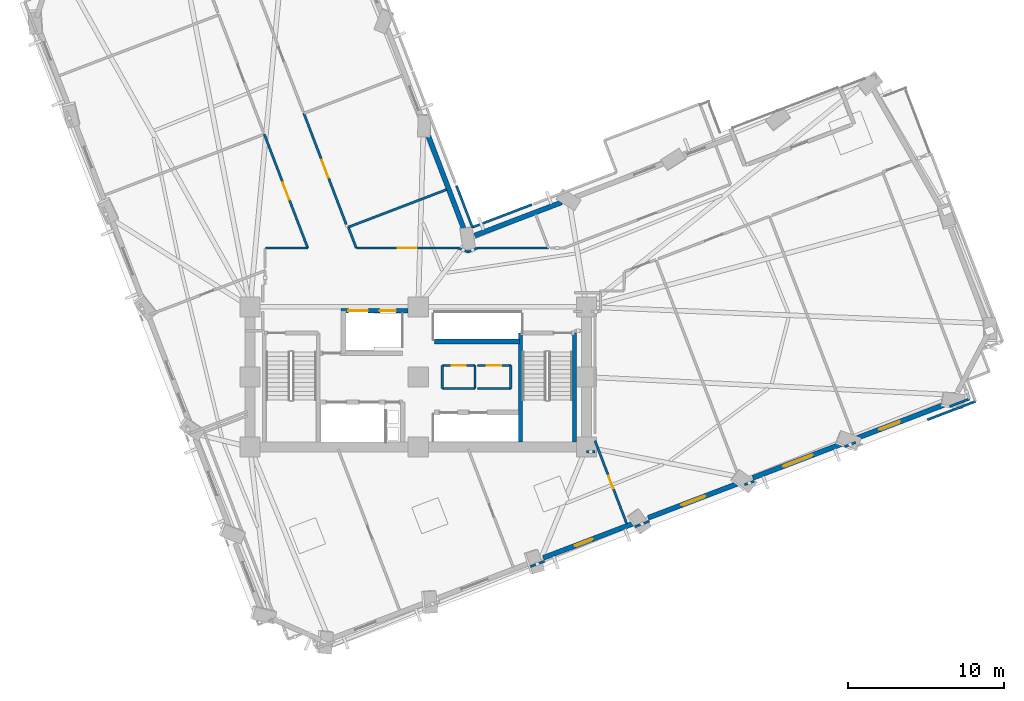
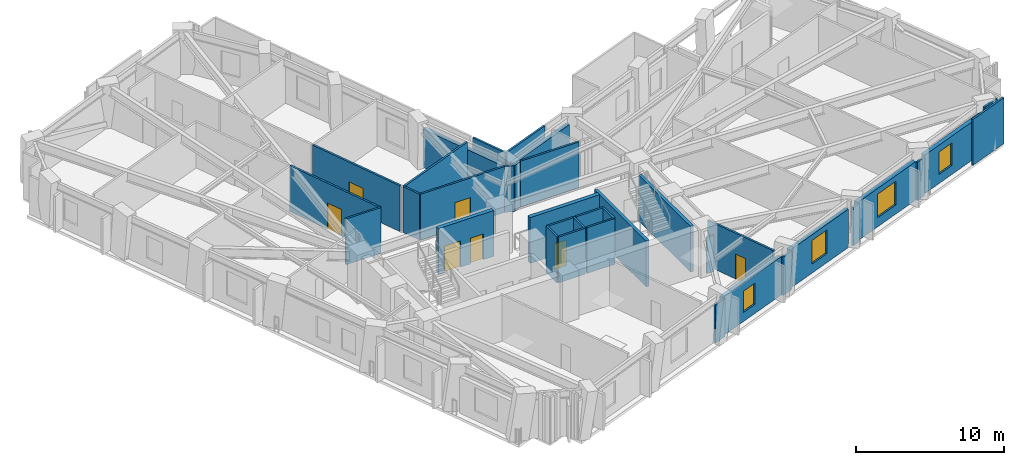
# One storey, part 9 of 15: 36 walls, 8 doors, 4 windows, 12 openings.
"""IFC4 building model written with IfcOpenShell, lengths in metres."""

from ifc_helpers import new_model, si_unit, direction, frame, frame_2d, origin, place, context, subcontext, project, spatial, rectangle, extrude, material, layer, layer_set, type_object, element, fill, save


model = new_model("IFC4")

# Units and contexts
model_context = context("Model", 3, precision=1e-05, world=origin(), true_north=direction((0.0, 1.0)))
body_context = subcontext(model_context, "Body", "Model", "MODEL_VIEW")
ifc_project = project(units=[si_unit("LENGTHUNIT", "METRE"), si_unit("AREAUNIT", "SQUARE_METRE"), si_unit("VOLUMEUNIT", "CUBIC_METRE"), si_unit("PLANEANGLEUNIT", "RADIAN"), si_unit("MASSUNIT", "GRAM", prefix="KILO")], contexts=[model_context])

# Site, building, storey
site_placement = place(None, origin())
site = spatial("IfcSite", under=ifc_project, at=site_placement, CompositionType="ELEMENT")
building_placement = place(site_placement, origin())
building = spatial("IfcBuilding", under=site, at=building_placement, Name="Gaonmaruhae Medical Tower", CompositionType="ELEMENT")
storey_placement = place(building_placement, frame((0.0, 0.0, 112.39990234375)))
storey = spatial("IfcBuildingStorey", under=building, at=storey_placement, Name="L26", CompositionType="ELEMENT", Elevation=112.39990234375)

# Wall, opening, window
ifc_material_1 = material(Name="Precast concrete C45/55", Category="concrete")
ifc_layer_1 = layer(ifc_material_1, 0.320068359375)
ifc_layer_set_1 = layer_set([ifc_layer_1], Name="Precast concrete C45/55")
wall_type_1 = type_object("IfcWallType", Name="EW-320 Lower Precast Masonry-Frame Facade Wall", PredefinedType="SOLIDWALL", material=ifc_layer_set_1)
wall_1_placement = place(storey_placement, frame((38.631103515625, 2.904052734375, 0.0), z_axis=(0.0, 0.0, 1.0), x_axis=(-0.93420862639, -0.356727125936, 0.0)))
wall_1 = element("IfcWall", 1, at=wall_1_placement, inside=storey, type_object=wall_type_1, Name="L26 Precast Masonry-Frame Wall S03-S04", PredefinedType="SOLIDWALL", context=body_context, shape_type="SweptSolid", body=[
    extrude(rectangle(XDim=6.21435546875, YDim=0.320068359375, at=frame_2d((3.107177734375, 0.0))), origin(), (0.0, 0.0, 1.0), 3.1650390625),
])
opening_1_placement = place(wall_1_placement, frame((2.822509765625, 0.0, 0.75)))
opening_1 = element("IfcOpeningElement", 2, at=opening_1_placement, cuts=wall_1, Name="Opening WN-05", PredefinedType="OPENING", context=body_context, shape_type="SweptSolid", body=[
    extrude(rectangle(XDim=1.199951171875, YDim=1.75, at=frame_2d((0.60009765625, 0.875))), frame((0.0, 0.169921875, 0.0), z_axis=(0.0, -1.0, 0.0), x_axis=(1.0, 0.0, 0.0)), (0.0, 0.0, 1.0), 0.340087890625),
])
ifc_material_2 = material(Name="Anodised aluminium and Low-E double glazing", Category="aluminium")
window_type_1 = type_object("IfcWindowType", Name="WN-05 Support & Staff Punched Window 1200x1750", PartitioningType="SINGLE_PANEL", PredefinedType="WINDOW", material=ifc_material_2)
window_1_placement = place(opening_1_placement, origin())
window_1 = element("IfcWindow", 3, at=window_1_placement, inside=storey, type_object=window_type_1, Name="L26 Modular Facade Window S03", OverallHeight=1.75, OverallWidth=1.199951171875, PartitioningType="SINGLE_PANEL", PredefinedType="WINDOW", context=body_context, shape_type="SweptSolid", body=[
    extrude(rectangle(XDim=1.199951171875, YDim=1.75, at=frame_2d((0.60009765625, 0.875))), frame((0.0, 0.030029296875, 0.0), z_axis=(0.0, -1.0, 0.0), x_axis=(1.0, 0.0, 0.0)), (0.0, 0.0, 1.0), 0.06005859375),
])
fill(opening_1, window_1)

wall_2_placement = place(storey_placement, frame((45.357666015625, 5.472900390625, 0.0), z_axis=(0.0, 0.0, 1.0), x_axis=(-0.934195274734, -0.356762089724, 0.0)))
wall_2 = element("IfcWall", 4, at=wall_2_placement, inside=storey, type_object=wall_type_1, Name="L26 Precast Masonry-Frame Wall S04-S05", PredefinedType="SOLIDWALL", context=body_context, shape_type="SweptSolid", body=[
    extrude(rectangle(XDim=6.208984375, YDim=0.320068359375, at=frame_2d((3.1044921875, 0.0))), origin(), (0.0, 0.0, 1.0), 3.1650390625),
])
opening_2_placement = place(wall_2_placement, frame((2.3046875, 0.0, 0.75)))
opening_2 = element("IfcOpeningElement", 5, at=opening_2_placement, cuts=wall_2, Name="Opening WN-01", PredefinedType="OPENING", context=body_context, shape_type="SweptSolid", body=[
    extrude(rectangle(XDim=1.60009765625, YDim=1.949951171875, at=frame_2d((0.800048828125, 0.97509765625))), frame((0.0, 0.169921875, 0.0), z_axis=(0.0, -1.0, 0.0), x_axis=(1.0, 0.0, 0.0)), (0.0, 0.0, 1.0), 0.340087890625),
])
window_type_2 = type_object("IfcWindowType", Name="WN-01 Ward Punched Acoustic Window 1600x1950", PartitioningType="SINGLE_PANEL", PredefinedType="WINDOW", material=ifc_material_2)
window_2_placement = place(opening_2_placement, origin())
window_2 = element("IfcWindow", 6, at=window_2_placement, inside=storey, type_object=window_type_2, Name="L26 Modular Facade Window S04", OverallHeight=1.949951171875, OverallWidth=1.60009765625, PartitioningType="SINGLE_PANEL", PredefinedType="WINDOW", context=body_context, shape_type="SweptSolid", body=[
    extrude(rectangle(XDim=1.60009765625, YDim=1.949951171875, at=frame_2d((0.800048828125, 0.97509765625))), frame((0.0, 0.030029296875, 0.0), z_axis=(0.0, -1.0, 0.0), x_axis=(1.0, 0.0, 0.0)), (0.0, 0.0, 1.0), 0.06005859375),
])
fill(opening_2, window_2)

wall_3_placement = place(storey_placement, frame((52.09130859375, 8.044189453125, 0.0), z_axis=(0.0, 0.0, 1.0), x_axis=(-0.93419197885, -0.356770720005, 0.0)))
wall_3 = element("IfcWall", 7, at=wall_3_placement, inside=storey, type_object=wall_type_1, Name="L26 Precast Masonry-Frame Wall S05-S06", PredefinedType="SOLIDWALL", context=body_context, shape_type="SweptSolid", body=[
    extrude(rectangle(XDim=6.21826171875, YDim=0.320068359375, at=frame_2d((3.109130859375, 0.0))), origin(), (0.0, 0.0, 1.0), 3.1650390625),
])
opening_3_placement = place(wall_3_placement, frame((2.111083984375, 0.0, 0.75)))
opening_3 = element("IfcOpeningElement", 8, at=opening_3_placement, cuts=wall_3, Name="Opening WN-02", PredefinedType="OPENING", context=body_context, shape_type="SweptSolid", body=[
    extrude(rectangle(XDim=2.0, YDim=1.949951171875, at=frame_2d((1.0, 0.97509765625))), frame((0.0, 0.169921875, 0.0), z_axis=(0.0, -1.0, 0.0), x_axis=(1.0, 0.0, 0.0)), (0.0, 0.0, 1.0), 0.340087890625),
])
window_type_3 = type_object("IfcWindowType", Name="WN-02 Double-Bed Ward Punched Window 2000x1950", PartitioningType="SINGLE_PANEL", PredefinedType="WINDOW", material=ifc_material_2)
window_3_placement = place(opening_3_placement, origin())
window_3 = element("IfcWindow", 9, at=window_3_placement, inside=storey, type_object=window_type_3, Name="L26 Modular Facade Window S05", OverallHeight=1.949951171875, OverallWidth=2.0, PartitioningType="SINGLE_PANEL", PredefinedType="WINDOW", context=body_context, shape_type="SweptSolid", body=[
    extrude(rectangle(XDim=2.0, YDim=1.949951171875, at=frame_2d((1.0, 0.97509765625))), frame((0.0, 0.030029296875, 0.0), z_axis=(0.0, -1.0, 0.0), x_axis=(1.0, 0.0, 0.0)), (0.0, 0.0, 1.0), 0.06005859375),
])
fill(opening_3, window_3)

wall_4_placement = place(storey_placement, frame((58.831787109375, 10.6181640625, 0.0), z_axis=(0.0, 0.0, 1.0), x_axis=(-0.934193739587, -0.356766109541, 0.0)))
wall_4 = element("IfcWall", 10, at=wall_4_placement, inside=storey, type_object=wall_type_1, Name="L26 Precast Masonry-Frame Wall S06-S07", PredefinedType="SOLIDWALL", context=body_context, shape_type="SweptSolid", body=[
    extrude(rectangle(XDim=6.242431640625, YDim=0.320068359375, at=frame_2d((3.12109375, 0.0))), origin(), (0.0, 0.0, 1.0), 3.1650390625),
])
opening_4_placement = place(wall_4_placement, frame((3.340087890625, 0.0, 0.75)))
opening_4 = element("IfcOpeningElement", 11, at=opening_4_placement, cuts=wall_4, Name="Opening WN-03", PredefinedType="OPENING", context=body_context, shape_type="SweptSolid", body=[
    extrude(rectangle(XDim=1.39990234375, YDim=1.85009765625, at=frame_2d((0.699951171875, 0.925048828125))), frame((0.0, 0.169921875, 0.0), z_axis=(0.0, -1.0, 0.0), x_axis=(1.0, 0.0, 0.0)), (0.0, 0.0, 1.0), 0.340087890625),
])
window_type_4 = type_object("IfcWindowType", Name="WN-03 Isolation Ward Punched Window 1400x1850", PartitioningType="SINGLE_PANEL", PredefinedType="WINDOW", material=ifc_material_2)
window_4_placement = place(opening_4_placement, origin())
window_4 = element("IfcWindow", 12, at=window_4_placement, inside=storey, type_object=window_type_4, Name="L26 Modular Facade Window S06", OverallHeight=1.85009765625, OverallWidth=1.39990234375, PartitioningType="SINGLE_PANEL", PredefinedType="WINDOW", context=body_context, shape_type="SweptSolid", body=[
    extrude(rectangle(XDim=1.39990234375, YDim=1.85009765625, at=frame_2d((0.699951171875, 0.925048828125))), frame((0.0, 0.030029296875, 0.0), z_axis=(0.0, -1.0, 0.0), x_axis=(1.0, 0.0, 0.0)), (0.0, 0.0, 1.0), 0.06005859375),
])
fill(opening_4, window_4)

# Walls
wall_5_placement = place(storey_placement, frame((28.43408203125, 21.38232421875, 0.0), z_axis=(0.0, 0.0, 1.0), x_axis=(0.934206473055, 0.356732765109, 0.0)))
element("IfcWall", 13, at=wall_5_placement, inside=storey, type_object=wall_type_1, Name="L26 Precast Masonry-Frame Wall EN03-KN01", PredefinedType="SOLIDWALL", context=body_context, shape_type="SweptSolid", body=[
    extrude(rectangle(XDim=5.960205078125, YDim=0.320068359375, at=frame_2d((2.97998046875, 0.0))), origin(), (0.0, 0.0, 1.0), 3.1650390625),
])
wall_6_placement = place(storey_placement, frame((25.393310546875, 27.93017578125, 0.0), z_axis=(0.0, 0.0, 1.0), x_axis=(0.35674913221, -0.934200223008, 0.0)))
element("IfcWall", 14, at=wall_6_placement, inside=storey, type_object=wall_type_1, Name="L26 Precast Masonry-Frame Wall KN01-NE01", PredefinedType="SOLIDWALL", context=body_context, shape_type="SweptSolid", body=[
    extrude(rectangle(XDim=6.760009765625, YDim=0.320068359375, at=frame_2d((3.3798828125, 0.0))), origin(), (0.0, 0.0, 1.0), 3.1650390625),
])
ifc_material_3 = material(Name="Gypsum board partition", Category="gypsum")
ifc_layer_2 = layer(ifc_material_3, 0.14990234375)
ifc_layer_set_2 = layer_set([ifc_layer_2], Name="Gypsum board partition")
wall_type_2 = type_object("IfcWallType", Name="PW-150 Rated Clinical Corridor Partition", PredefinedType="PARTITIONING", material=ifc_layer_set_2)
wall_7_placement = place(storey_placement, frame((26.35009765625, 11.56005859375, 0.0), z_axis=(0.0, 0.0, 1.0), x_axis=(0.0, 1.0, 0.0)))
element("IfcWall", 15, at=wall_7_placement, inside=storey, type_object=wall_type_2, Name="L26 Interior Partition L26-CS1-1", PredefinedType="PARTITIONING", context=body_context, shape_type="SweptSolid", body=[
    extrude(rectangle(XDim=1.47998046875, YDim=0.14990234375, at=frame_2d((0.739990234375, 0.0))), origin(), (0.0, 0.0, 1.0), 3.780029296875),
])

# Wall, opening, door
wall_8_placement = place(storey_placement, frame((26.35009765625, 13.0400390625, 0.0), z_axis=(0.0, 0.0, 1.0), x_axis=(1.0, 0.0, 0.0)))
wall_8 = element("IfcWall", 16, at=wall_8_placement, inside=storey, type_object=wall_type_2, Name="L26 Interior Partition L26-CS1-2", PredefinedType="PARTITIONING", context=body_context, shape_type="SweptSolid", body=[
    extrude(rectangle(XDim=2.099853515625, YDim=0.14990234375, at=frame_2d((1.0498046875, 0.0))), origin(), (0.0, 0.0, 1.0), 3.780029296875),
])
opening_5_placement = place(wall_8_placement, frame((0.590087890625, 0.0, 0.0)))
opening_5 = element("IfcOpeningElement", 17, at=opening_5_placement, cuts=wall_8, Name="Opening UD-01", PredefinedType="OPENING", context=body_context, shape_type="SweptSolid", body=[
    extrude(rectangle(XDim=0.919921875, YDim=2.10009765625, at=frame_2d((0.4599609375, 1.050048828125))), frame((0.0, 0.0849609375, 0.0), z_axis=(0.0, -1.0, 0.0), x_axis=(1.0, 0.0, 0.0)), (0.0, 0.0, 1.0), 0.169921875),
])
ifc_material_4 = material(Name="Powder-coated steel utility door", Category="steel")
door_type_1 = type_object("IfcDoorType", Name="UD-01 Toilet, Utility & Housekeeping Door 920x2100", OperationType="NOTDEFINED", PredefinedType="DOOR", material=ifc_material_4)
door_1_placement = place(opening_5_placement, origin())
door_1 = element("IfcDoor", 18, at=door_1_placement, inside=storey, type_object=door_type_1, Name="L26 Accessible Staff Toilet Door", OperationType="SINGLE_SWING_RIGHT", OverallHeight=2.10009765625, OverallWidth=0.919921875, PredefinedType="DOOR", context=body_context, shape_type="SweptSolid", body=[
    extrude(rectangle(XDim=0.919921875, YDim=2.10009765625, at=frame_2d((0.4599609375, 1.050048828125))), frame((0.0, 0.02490234375, 0.0), z_axis=(0.0, -1.0, 0.0), x_axis=(1.0, 0.0, 0.0)), (0.0, 0.0, 1.0), 0.050048828125),
])
fill(opening_5, door_1)

# Walls
wall_9_placement = place(storey_placement, frame((28.449951171875, 13.0400390625, 0.0), z_axis=(0.0, 0.0, 1.0), x_axis=(0.0, -1.0, 0.0)))
element("IfcWall", 19, at=wall_9_placement, inside=storey, type_object=wall_type_2, Name="L26 Interior Partition L26-CS1-3", PredefinedType="PARTITIONING", context=body_context, shape_type="SweptSolid", body=[
    extrude(rectangle(XDim=1.47998046875, YDim=0.14990234375, at=frame_2d((0.739990234375, 0.0))), origin(), (0.0, 0.0, 1.0), 3.780029296875),
])
wall_10_placement = place(storey_placement, frame((28.449951171875, 11.56005859375, 0.0), z_axis=(0.0, 0.0, 1.0), x_axis=(-1.0, 0.0, 0.0)))
element("IfcWall", 20, at=wall_10_placement, inside=storey, type_object=wall_type_2, Name="L26 Interior Partition L26-CS1-4", PredefinedType="PARTITIONING", context=body_context, shape_type="SweptSolid", body=[
    extrude(rectangle(XDim=2.099853515625, YDim=0.14990234375, at=frame_2d((1.0498046875, 0.0))), origin(), (0.0, 0.0, 1.0), 3.780029296875),
])

# Wall, opening, door
wall_11_placement = place(storey_placement, frame((28.60009765625, 13.0400390625, 0.0), z_axis=(0.0, 0.0, 1.0), x_axis=(1.0, 0.0, 0.0)))
wall_11 = element("IfcWall", 21, at=wall_11_placement, inside=storey, type_object=wall_type_2, Name="L26 Interior Partition L26-CS2-5", PredefinedType="PARTITIONING", context=body_context, shape_type="SweptSolid", body=[
    extrude(rectangle(XDim=2.14990234375, YDim=0.14990234375, at=frame_2d((1.074951171875, 0.0))), origin(), (0.0, 0.0, 1.0), 3.780029296875),
])
opening_6_placement = place(wall_11_placement, frame((0.614990234375, 0.0, 0.0)))
opening_6 = element("IfcOpeningElement", 22, at=opening_6_placement, cuts=wall_11, Name="Opening UD-01", PredefinedType="OPENING", context=body_context, shape_type="SweptSolid", body=[
    extrude(rectangle(XDim=0.919921875, YDim=2.10009765625, at=frame_2d((0.4599609375, 1.050048828125))), frame((0.0, 0.0849609375, 0.0), z_axis=(0.0, -1.0, 0.0), x_axis=(1.0, 0.0, 0.0)), (0.0, 0.0, 1.0), 0.169921875),
])
door_2_placement = place(opening_6_placement, origin())
door_2 = element("IfcDoor", 23, at=door_2_placement, inside=storey, type_object=door_type_1, Name="L26 Biomedical Telemetry Closet Door", OperationType="SINGLE_SWING_LEFT", OverallHeight=2.10009765625, OverallWidth=0.919921875, PredefinedType="DOOR", context=body_context, shape_type="SweptSolid", body=[
    extrude(rectangle(XDim=0.919921875, YDim=2.10009765625, at=frame_2d((0.4599609375, 1.050048828125))), frame((0.0, 0.02490234375, 0.0), z_axis=(0.0, -1.0, 0.0), x_axis=(1.0, 0.0, 0.0)), (0.0, 0.0, 1.0), 0.050048828125),
])
fill(opening_6, door_2)

# Walls
wall_12_placement = place(storey_placement, frame((30.75, 13.0400390625, 0.0), z_axis=(0.0, 0.0, 1.0), x_axis=(0.0, -1.0, 0.0)))
element("IfcWall", 24, at=wall_12_placement, inside=storey, type_object=wall_type_2, Name="L26 Interior Partition L26-CS2-6", PredefinedType="PARTITIONING", context=body_context, shape_type="SweptSolid", body=[
    extrude(rectangle(XDim=1.47998046875, YDim=0.14990234375, at=frame_2d((0.739990234375, 0.0))), origin(), (0.0, 0.0, 1.0), 3.780029296875),
])
wall_13_placement = place(storey_placement, frame((30.75, 11.56005859375, 0.0), z_axis=(0.0, 0.0, 1.0), x_axis=(-1.0, 0.0, 0.0)))
element("IfcWall", 25, at=wall_13_placement, inside=storey, type_object=wall_type_2, Name="L26 Interior Partition L26-CS2-7", PredefinedType="PARTITIONING", context=body_context, shape_type="SweptSolid", body=[
    extrude(rectangle(XDim=2.14990234375, YDim=0.14990234375, at=frame_2d((1.074951171875, 0.0))), origin(), (0.0, 0.0, 1.0), 3.780029296875),
])

# Wall, opening, door
wall_14_placement = place(storey_placement, frame((36.14990234375, 8.212890625, 0.0), z_axis=(0.0, 0.0, 1.0), x_axis=(0.356777557766, -0.934189367459, 0.0)))
wall_14 = element("IfcWall", 26, at=wall_14_placement, inside=storey, type_object=wall_type_2, Name="L26 Interior Partition L26-SUP03-17", PredefinedType="PARTITIONING", context=body_context, shape_type="SweptSolid", body=[
    extrude(rectangle(XDim=5.709716796875, YDim=0.14990234375, at=frame_2d((2.85498046875, 0.0))), origin(), (0.0, 0.0, 1.0), 3.780029296875),
])
opening_7_placement = place(wall_14_placement, frame((2.4248046875, 0.0, 0.0)))
opening_7 = element("IfcOpeningElement", 27, at=opening_7_placement, cuts=wall_14, Name="Opening AD-01", PredefinedType="OPENING", context=body_context, shape_type="SweptSolid", body=[
    extrude(rectangle(XDim=0.860107421875, YDim=2.06005859375, at=frame_2d((0.43017578125, 1.030029296875))), frame((0.0, 0.0849609375, 0.0), z_axis=(0.0, -1.0, 0.0), x_axis=(1.0, 0.0, 0.0)), (0.0, 0.0, 1.0), 0.169921875),
])
ifc_material_5 = material(Name="Powder-coated steel access door", Category="steel")
door_type_2 = type_object("IfcDoorType", Name="AD-01 Riser & Closet Access Fire Door 860x2060", OperationType="NOTDEFINED", PredefinedType="DOOR", material=ifc_material_5)
door_3_placement = place(opening_7_placement, origin())
door_3 = element("IfcDoor", 28, at=door_3_placement, inside=storey, type_object=door_type_2, Name="L26 Clinical Biomedical Charting Office Sliding Door", OperationType="SLIDING_TO_LEFT", OverallHeight=2.06005859375, OverallWidth=0.860107421875, PredefinedType="DOOR", context=body_context, shape_type="SweptSolid", body=[
    extrude(rectangle(XDim=0.860107421875, YDim=2.06005859375, at=frame_2d((0.43017578125, 1.030029296875))), frame((0.0, 0.02490234375, 0.0), z_axis=(0.0, -1.0, 0.0), x_axis=(1.0, 0.0, 0.0)), (0.0, 0.0, 1.0), 0.050048828125),
])
fill(opening_7, door_3)

# Walls
wall_15_placement = place(storey_placement, frame((32.907958984375, 0.472900390625, 0.0), z_axis=(0.0, 0.0, 1.0), x_axis=(-0.934056725014, -0.357124676346, 0.0)))
element("IfcWall", 29, at=wall_15_placement, inside=storey, type_object=wall_type_2, Name="L26 Interior Partition L26-SUP03-18", PredefinedType="PARTITIONING", context=body_context, shape_type="SweptSolid", body=[
    extrude(rectangle(XDim=0.979736328125, YDim=0.14990234375, at=frame_2d((0.48974609375, 0.0))), origin(), (0.0, 0.0, 1.0), 3.1650390625),
])
wall_16_placement = place(storey_placement, frame((35.60009765625, 7.5, 0.0), z_axis=(0.0, 0.0, 1.0), x_axis=(1.0, 0.0, 0.0)))
element("IfcWall", 30, at=wall_16_placement, inside=storey, type_object=wall_type_2, Name="L26 Interior Partition L26-SUP03-19", PredefinedType="PARTITIONING", context=body_context, shape_type="SweptSolid", body=[
    extrude(rectangle(XDim=0.5498046875, YDim=0.14990234375, at=frame_2d((0.27490234375, 0.0))), origin(), (0.0, 0.0, 1.0), 2.965087890625),
])
wall_17_placement = place(storey_placement, frame((39.638916015625, 3.04296875, 0.0), z_axis=(0.0, 0.0, 1.0), x_axis=(-0.934073578561, -0.357080592912, 0.0)))
element("IfcWall", 31, at=wall_17_placement, inside=storey, type_object=wall_type_2, Name="L26 Interior Partition L26-SUP04-28", PredefinedType="PARTITIONING", context=body_context, shape_type="SweptSolid", body=[
    extrude(rectangle(XDim=0.991455078125, YDim=0.14990234375, at=frame_2d((0.49560546875, 0.0))), origin(), (0.0, 0.0, 1.0), 3.1650390625),
])
wall_18_placement = place(storey_placement, frame((52.89111328125, 8.10302734375, 0.0), z_axis=(0.0, 0.0, 1.0), x_axis=(-0.934316516535, -0.356444451395, 0.0)))
element("IfcWall", 32, at=wall_18_placement, inside=storey, type_object=wall_type_2, Name="L26 Interior Partition L26-SUP05-33", PredefinedType="PARTITIONING", context=body_context, shape_type="SweptSolid", body=[
    extrude(rectangle(XDim=0.7685546875, YDim=0.14990234375, at=frame_2d((0.38427734375, 0.0))), origin(), (0.0, 0.0, 1.0), 3.1650390625),
])
wall_19_placement = place(storey_placement, frame((46.364013671875, 5.611083984375, 0.0), z_axis=(0.0, 0.0, 1.0), x_axis=(-0.934304300347, -0.356476470967, 0.0)))
element("IfcWall", 33, at=wall_19_placement, inside=storey, type_object=wall_type_2, Name="L26 Interior Partition L26-SUP05-34", PredefinedType="PARTITIONING", context=body_context, shape_type="SweptSolid", body=[
    extrude(rectangle(XDim=0.654052734375, YDim=0.14990234375, at=frame_2d((0.3271484375, 0.0))), origin(), (0.0, 0.0, 1.0), 3.1650390625),
])
wall_20_placement = place(storey_placement, frame((60.177001953125, 10.885986328125, 0.0), z_axis=(0.0, 0.0, 1.0), x_axis=(-0.93428730841, -0.356521002668, 0.0)))
element("IfcWall", 34, at=wall_20_placement, inside=storey, type_object=wall_type_2, Name="L26 Interior Partition L26-SUP06-38", PredefinedType="PARTITIONING", context=body_context, shape_type="SweptSolid", body=[
    extrude(rectangle(XDim=1.351806640625, YDim=0.14990234375, at=frame_2d((0.67578125, 0.0))), origin(), (0.0, 0.0, 1.0), 3.780029296875),
])

# Wall, opening, door
wall_21_placement = place(storey_placement, frame((14.9189453125, 27.888916015625, 0.0), z_axis=(0.0, 0.0, 1.0), x_axis=(0.356742665593, -0.934202692431, 0.0)))
wall_21 = element("IfcWall", 35, at=wall_21_placement, inside=storey, type_object=wall_type_2, Name="L26 Interior Partition L26-WOF08-50", PredefinedType="PARTITIONING", context=body_context, shape_type="SweptSolid", body=[
    extrude(rectangle(XDim=7.82373046875, YDim=0.14990234375, at=frame_2d((3.911865234375, 0.0))), origin(), (0.0, 0.0, 1.0), 3.780029296875),
])
opening_8_placement = place(wall_21_placement, frame((3.31201171875, 0.0, 0.0)))
opening_8 = element("IfcOpeningElement", 36, at=opening_8_placement, cuts=wall_21, Name="Opening CD-02", PredefinedType="OPENING", context=body_context, shape_type="SweptSolid", body=[
    extrude(rectangle(XDim=1.199951171875, YDim=2.14990234375, at=frame_2d((0.60009765625, 1.074951171875))), frame((0.0, 0.0849609375, 0.0), z_axis=(0.0, -1.0, 0.0), x_axis=(1.0, 0.0, 0.0)), (0.0, 0.0, 1.0), 0.169921875),
])
ifc_material_6 = material(Name="Antimicrobial laminate timber fire door", Category="wood")
door_type_3 = type_object("IfcDoorType", Name="CD-02 Clinical Treatment & Procedure Door 1200x2150", OperationType="NOTDEFINED", PredefinedType="DOOR", material=ifc_material_6)
door_4_placement = place(opening_8_placement, origin())
door_4 = element("IfcDoor", 37, at=door_4_placement, inside=storey, type_object=door_type_3, Name="L26 Ward Physician Reporting Office Door", OperationType="SINGLE_SWING_RIGHT", OverallHeight=2.14990234375, OverallWidth=1.199951171875, PredefinedType="DOOR", context=body_context, shape_type="SweptSolid", body=[
    extrude(rectangle(XDim=1.199951171875, YDim=2.14990234375, at=frame_2d((0.60009765625, 1.074951171875))), frame((0.0, 0.02490234375, 0.0), z_axis=(0.0, -1.0, 0.0), x_axis=(1.0, 0.0, 0.0)), (0.0, 0.0, 1.0), 0.050048828125),
])
fill(opening_8, door_4)

# Walls
wall_22_placement = place(storey_placement, frame((17.7099609375, 20.580078125, 0.0), z_axis=(0.0, 0.0, 1.0), x_axis=(-1.0, 0.0, 0.0)))
element("IfcWall", 38, at=wall_22_placement, inside=storey, type_object=wall_type_2, Name="L26 Interior Partition L26-WOF08-51", PredefinedType="PARTITIONING", context=body_context, shape_type="SweptSolid", body=[
    extrude(rectangle(XDim=2.712890625, YDim=0.14990234375, at=frame_2d((1.3564453125, 0.0))), origin(), (0.0, 0.0, 1.0), 3.780029296875),
])
wall_23_placement = place(storey_placement, frame((28.60498046875, 20.580078125, 0.0), z_axis=(0.0, 0.0, 1.0), x_axis=(-0.921448466348, -0.388500609864, 0.0)))
element("IfcWall", 39, at=wall_23_placement, inside=storey, type_object=wall_type_2, Name="L26 Interior Partition L26-IE01-63", PredefinedType="PARTITIONING", context=body_context, shape_type="SweptSolid", body=[
    extrude(rectangle(XDim=0.664306640625, YDim=0.14990234375, at=frame_2d((0.33203125, 0.0))), origin(), (0.0, 0.0, 1.0), 3.780029296875),
])
wall_24_placement = place(storey_placement, frame((27.992919921875, 20.322021484375, 0.0), z_axis=(0.0, 0.0, 1.0), x_axis=(-0.922328906897, 0.386405729128, 0.0)))
element("IfcWall", 40, at=wall_24_placement, inside=storey, type_object=wall_type_2, Name="L26 Interior Partition L26-IE01-64", PredefinedType="PARTITIONING", context=body_context, shape_type="SweptSolid", body=[
    extrude(rectangle(XDim=0.667724609375, YDim=0.14990234375, at=frame_2d((0.333984375, 0.0))), origin(), (0.0, 0.0, 1.0), 3.780029296875),
])

# Wall, opening, door
wall_25_placement = place(storey_placement, frame((27.376953125, 20.580078125, 0.0), z_axis=(0.0, 0.0, 1.0), x_axis=(-1.0, 0.0, 0.0)))
wall_25 = element("IfcWall", 41, at=wall_25_placement, inside=storey, type_object=wall_type_2, Name="L26 Interior Partition L26-IE01-65", PredefinedType="PARTITIONING", context=body_context, shape_type="SweptSolid", body=[
    extrude(rectangle(XDim=6.552001953125, YDim=0.14990234375, at=frame_2d((3.27587890625, 0.0))), origin(), (0.0, 0.0, 1.0), 3.780029296875),
])
opening_9_placement = place(wall_25_placement, frame((2.676025390625, 0.0, 0.0)))
opening_9 = element("IfcOpeningElement", 42, at=opening_9_placement, cuts=wall_25, Name="Opening CD-02", PredefinedType="OPENING", context=body_context, shape_type="SweptSolid", body=[
    extrude(rectangle(XDim=1.199951171875, YDim=2.14990234375, at=frame_2d((0.60009765625, 1.074951171875))), frame((0.0, 0.0849609375, 0.0), z_axis=(0.0, -1.0, 0.0), x_axis=(1.0, 0.0, 0.0)), (0.0, 0.0, 1.0), 0.169921875),
])
door_5_placement = place(opening_9_placement, origin())
door_5 = element("IfcDoor", 43, at=door_5_placement, inside=storey, type_object=door_type_3, Name="L26 Central Clinical Nurse Station Door", OperationType="SINGLE_SWING_RIGHT", OverallHeight=2.14990234375, OverallWidth=1.199951171875, PredefinedType="DOOR", context=body_context, shape_type="SweptSolid", body=[
    extrude(rectangle(XDim=1.199951171875, YDim=2.14990234375, at=frame_2d((0.60009765625, 1.074951171875))), frame((0.0, 0.02490234375, 0.0), z_axis=(0.0, -1.0, 0.0), x_axis=(1.0, 0.0, 0.0)), (0.0, 0.0, 1.0), 0.050048828125),
])
fill(opening_9, door_5)

# Walls
wall_26_placement = place(storey_placement, frame((20.824951171875, 20.580078125, 0.0), z_axis=(0.0, 0.0, 1.0), x_axis=(-0.356709663508, 0.934215294223, 0.0)))
element("IfcWall", 44, at=wall_26_placement, inside=storey, type_object=wall_type_2, Name="L26 Interior Partition L26-IE01-66", PredefinedType="PARTITIONING", context=body_context, shape_type="SweptSolid", body=[
    extrude(rectangle(XDim=1.435302734375, YDim=0.14990234375, at=frame_2d((0.7177734375, 0.0))), origin(), (0.0, 0.0, 1.0), 3.780029296875),
])
wall_27_placement = place(storey_placement, frame((20.31298828125, 21.9208984375, 0.0), z_axis=(0.0, 0.0, 1.0), x_axis=(0.93417589532, 0.356812831332, 0.0)))
element("IfcWall", 45, at=wall_27_placement, inside=storey, type_object=wall_type_2, Name="L26 Interior Partition L26-IE01-67", PredefinedType="PARTITIONING", context=body_context, shape_type="SweptSolid", body=[
    extrude(rectangle(XDim=6.754638671875, YDim=0.14990234375, at=frame_2d((3.37744140625, 0.0))), origin(), (0.0, 0.0, 1.0), 3.780029296875),
])
wall_28_placement = place(storey_placement, frame((27.262939453125, 24.574951171875, 0.0), z_axis=(0.0, 0.0, 1.0), x_axis=(0.356814369835, -0.93417530768, 0.0)))
element("IfcWall", 46, at=wall_28_placement, inside=storey, type_object=wall_type_2, Name="L26 Interior Partition L26-IE01-68", PredefinedType="PARTITIONING", context=body_context, shape_type="SweptSolid", body=[
    extrude(rectangle(XDim=2.8505859375, YDim=0.14990234375, at=frame_2d((1.42529296875, 0.0))), origin(), (0.0, 0.0, 1.0), 3.780029296875),
])
wall_29_placement = place(storey_placement, frame((28.280029296875, 21.912109375, 0.0), z_axis=(0.0, 0.0, 1.0), x_axis=(0.934154329461, 0.356869288043, 0.0)))
element("IfcWall", 47, at=wall_29_placement, inside=storey, type_object=wall_type_2, Name="L26 Interior Partition L26-IE01-69", PredefinedType="PARTITIONING", context=body_context, shape_type="SweptSolid", body=[
    extrude(rectangle(XDim=4.08837890625, YDim=0.14990234375, at=frame_2d((2.044189453125, 0.0))), origin(), (0.0, 0.0, 1.0), 3.780029296875),
])
wall_30_placement = place(storey_placement, frame((33.1650390625, 20.580078125, 0.0), z_axis=(0.0, 0.0, 1.0), x_axis=(-1.0, 0.0, 0.0)))
element("IfcWall", 48, at=wall_30_placement, inside=storey, type_object=wall_type_2, Name="L26 Interior Partition L26-IE01-71", PredefinedType="PARTITIONING", context=body_context, shape_type="SweptSolid", body=[
    extrude(rectangle(XDim=4.56005859375, YDim=0.14990234375, at=frame_2d((2.280029296875, 0.0))), origin(), (0.0, 0.0, 1.0), 3.780029296875),
])

# Wall, opening, door
wall_31_placement = place(storey_placement, frame((20.181884765625, 22.094970703125, 0.0), z_axis=(0.0, 0.0, 1.0), x_axis=(-0.356741141549, 0.934203274414, 0.0)))
wall_31 = element("IfcWall", 49, at=wall_31_placement, inside=storey, type_object=wall_type_2, Name="L26 Interior Partition L26-IN01-85", PredefinedType="PARTITIONING", context=body_context, shape_type="SweptSolid", body=[
    extrude(rectangle(XDim=7.635498046875, YDim=0.14990234375, at=frame_2d((3.81787109375, 0.0))), origin(), (0.0, 0.0, 1.0), 3.780029296875),
])
opening_10_placement = place(wall_31_placement, frame((3.2177734375, 0.0, 0.0)))
opening_10 = element("IfcOpeningElement", 50, at=opening_10_placement, cuts=wall_31, Name="Opening CD-02", PredefinedType="OPENING", context=body_context, shape_type="SweptSolid", body=[
    extrude(rectangle(XDim=1.199951171875, YDim=2.14990234375, at=frame_2d((0.60009765625, 1.074951171875))), frame((0.0, 0.0849609375, 0.0), z_axis=(0.0, -1.0, 0.0), x_axis=(1.0, 0.0, 0.0)), (0.0, 0.0, 1.0), 0.169921875),
])
door_6_placement = place(opening_10_placement, origin())
door_6 = element("IfcDoor", 51, at=door_6_placement, inside=storey, type_object=door_type_3, Name="L26 Physician Consultation Office Door", OperationType="SINGLE_SWING_LEFT", OverallHeight=2.14990234375, OverallWidth=1.199951171875, PredefinedType="DOOR", context=body_context, shape_type="SweptSolid", body=[
    extrude(rectangle(XDim=1.199951171875, YDim=2.14990234375, at=frame_2d((0.60009765625, 1.074951171875))), frame((0.0, 0.02490234375, 0.0), z_axis=(0.0, -1.0, 0.0), x_axis=(1.0, 0.0, 0.0)), (0.0, 0.0, 1.0), 0.050048828125),
])
fill(opening_10, door_6)

# Walls
wall_32_placement = place(storey_placement, frame((60.593994140625, 10.73388671875, 0.0), z_axis=(0.0, 0.0, 1.0), x_axis=(-0.93427673548, -0.356548708511, 0.0)))
element("IfcWall", 52, at=wall_32_placement, inside=storey, type_object=wall_type_2, Name="L26 Interior Partition L26-RM02-108", PredefinedType="PARTITIONING", context=body_context, shape_type="SweptSolid", body=[
    extrude(rectangle(XDim=3.3203125, YDim=0.14990234375, at=frame_2d((1.66015625, 0.0))), origin(), (0.0, 0.0, 1.0), 3.780029296875),
])
ifc_material_7 = material(Name="Concrete C50/60", Category="concrete")
ifc_layer_3 = layer(ifc_material_7, 0.239990234375)
ifc_layer_set_3 = layer_set([ifc_layer_3], Name="Concrete C50/60")
wall_type_3 = type_object("IfcWallType", Name="SW-240 Dogleg Stair Tight Shaft Wall", PredefinedType="SOLIDWALL", material=ifc_layer_set_3)
for number, where, z_axis, x_axis, name in (
    (53, (34.830078125, 15.1201171875, 0.0), (0.0, 0.0, 1.0), (0.0, -1.0, 0.0), "L26 ST-02 Stair Shaft Wall SHW-ST-02-E"),
    (54, (31.3701171875, 8.125, 0.0), (0.0, 0.0, 1.0), (0.0, 1.0, 0.0), "L26 ST-02 Stair Shaft Wall SHW-ST-02-W"),
):
    element("IfcWall", number, at=place(storey_placement, frame(where, z_axis=z_axis, x_axis=x_axis)), inside=storey, type_object=wall_type_3, Name=name, PredefinedType="SOLIDWALL", context=body_context, shape_type="SweptSolid", body=[
        extrude(rectangle(XDim=6.9951171875, YDim=0.239990234375, at=frame_2d((3.49755859375, 0.0))), origin(), (0.0, 0.0, 1.0), 3.780029296875),
    ])

# Wall, openings, doors
ifc_layer_4 = layer(ifc_material_7, 0.300048828125)
ifc_layer_set_4 = layer_set([ifc_layer_4], Name="Concrete C50/60")
wall_type_4 = type_object("IfcWallType", Name="SW-300 Stair & Lift Hoistway Shaft Wall", PredefinedType="SOLIDWALL", material=ifc_layer_set_4)
wall_33_placement = place(storey_placement, frame((19.85009765625, 16.550048828125, 0.0), z_axis=(0.0, 0.0, 1.0), x_axis=(1.0, 0.0, 0.0)))
wall_33 = element("IfcWall", 55, at=wall_33_placement, inside=storey, type_object=wall_type_4, Name="L26 Core Shear Wall CSW-NB", PredefinedType="SOLIDWALL", context=body_context, shape_type="SweptSolid", body=[
    extrude(rectangle(XDim=4.2998046875, YDim=0.300048828125, at=frame_2d((2.14990234375, 0.0))), origin(), (0.0, 0.0, 1.0), 3.780029296875),
])
opening_11_placement = place(wall_33_placement, frame((0.47509765625, 0.0, 0.0)))
opening_11 = element("IfcOpeningElement", 56, at=opening_11_placement, cuts=wall_33, Name="Opening LD-F1", PredefinedType="OPENING", context=body_context, shape_type="SweptSolid", body=[
    extrude(rectangle(XDim=1.25, YDim=2.179931640625, at=frame_2d((0.625, 1.08984375))), frame((0.0, 0.16015625, 0.0), z_axis=(0.0, -1.0, 0.0), x_axis=(1.0, 0.0, 0.0)), (0.0, 0.0, 1.0), 0.320068359375),
])
opening_12_placement = place(wall_33_placement, frame((2.489990234375, 0.0, 0.0)))
opening_12 = element("IfcOpeningElement", 57, at=opening_12_placement, cuts=wall_33, Name="Opening LD-S1", PredefinedType="OPENING", context=body_context, shape_type="SweptSolid", body=[
    extrude(rectangle(XDim=1.02001953125, YDim=2.1201171875, at=frame_2d((0.510009765625, 1.06005859375))), frame((0.0, 0.16015625, 0.0), z_axis=(0.0, -1.0, 0.0), x_axis=(1.0, 0.0, 0.0)), (0.0, 0.0, 1.0), 0.320068359375),
])
ifc_material_8 = material(Name="Brushed stainless steel 316L landing door", Category="steel")
door_type_4 = type_object("IfcDoorType", Name="LD-F1 Firefighting & Bed Lift Sliding Landing Door 1250x2180", OperationType="NOTDEFINED", PredefinedType="DOOR", material=ifc_material_8)
door_7_placement = place(opening_11_placement, origin())
door_7 = element("IfcDoor", 58, at=door_7_placement, inside=storey, type_object=door_type_4, Name="L26 Service/Bed Lift Landing Door BDL-01", OperationType="DOUBLE_DOOR_SLIDING", OverallHeight=2.179931640625, OverallWidth=1.25, PredefinedType="DOOR", context=body_context, shape_type="SweptSolid", body=[
    extrude(rectangle(XDim=1.25, YDim=2.179931640625, at=frame_2d((0.625, 1.08984375))), frame((0.0, 0.02490234375, 0.0), z_axis=(0.0, -1.0, 0.0), x_axis=(1.0, 0.0, 0.0)), (0.0, 0.0, 1.0), 0.050048828125),
])
fill(opening_11, door_7)
ifc_material_9 = material(Name="Brushed stainless steel 304 landing door", Category="steel")
door_type_5 = type_object("IfcDoorType", Name="LD-S1 Service Lift Sliding Landing Door 1020x2120", OperationType="NOTDEFINED", PredefinedType="DOOR", material=ifc_material_9)
door_8_placement = place(opening_12_placement, origin())
door_8 = element("IfcDoor", 59, at=door_8_placement, inside=storey, type_object=door_type_5, Name="L26 Service/Bed Lift Landing Door SVL-01", OperationType="SLIDING_TO_LEFT", OverallHeight=2.1201171875, OverallWidth=1.02001953125, PredefinedType="DOOR", context=body_context, shape_type="SweptSolid", body=[
    extrude(rectangle(XDim=1.02001953125, YDim=2.1201171875, at=frame_2d((0.510009765625, 1.06005859375))), frame((0.0, 0.02490234375, 0.0), z_axis=(0.0, -1.0, 0.0), x_axis=(1.0, 0.0, 0.0)), (0.0, 0.0, 1.0), 0.050048828125),
])
fill(opening_12, door_8)

# Wall
wall_34_placement = place(storey_placement, frame((25.85009765625, 14.580078125, 0.0), z_axis=(0.0, 0.0, 1.0), x_axis=(1.0, 0.0, 0.0)))
element("IfcWall", 60, at=wall_34_placement, inside=storey, type_object=wall_type_4, Name="L26 Shaft Enclosure Wall SHW-PLN", PredefinedType="SOLIDWALL", context=body_context, shape_type="SweptSolid", body=[
    extrude(rectangle(XDim=5.449951171875, YDim=0.300048828125, at=frame_2d((2.72509765625, 0.0))), origin(), (0.0, 0.0, 1.0), 3.780029296875),
])

save(model, "model.ifc")
